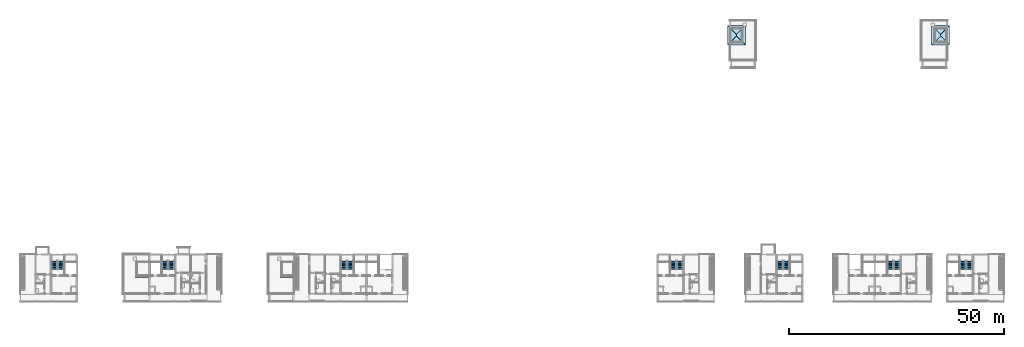
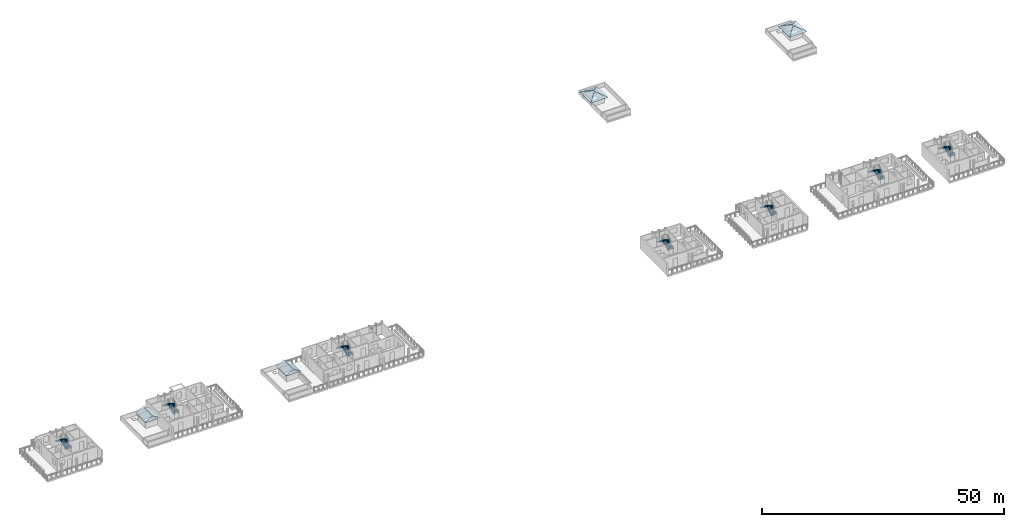
# One storey, part 29 of 41: 14 stair flights, 10 roofs, 7 elements without a shape of their own.
"""IFC4 building model written with IfcOpenShell, lengths in metres."""

from ifc_helpers import new_model, si_unit, direction, frame, origin, place, context, subcontext, project, spatial, polyline, outline, extrude, material, type_object, element, aggregate, save


model = new_model("IFC4")

# Units and contexts
model_context = context("Model", 3, precision=1e-05, world=origin(), true_north=direction((0.0, 1.0)))
body_context = subcontext(model_context, "Body", "Model", "MODEL_VIEW")
ifc_project = project(units=[si_unit("LENGTHUNIT", "METRE"), si_unit("AREAUNIT", "SQUARE_METRE"), si_unit("VOLUMEUNIT", "CUBIC_METRE"), si_unit("PLANEANGLEUNIT", "RADIAN"), si_unit("MASSUNIT", "GRAM", prefix="KILO")], contexts=[model_context])

# Site, building, storey
site_placement = place(None, origin())
site = spatial("IfcSite", under=ifc_project, at=site_placement, CompositionType="ELEMENT")
building_placement = place(site_placement, origin())
building = spatial("IfcBuilding", under=site, at=building_placement, Name="Ridgestep Commons", CompositionType="ELEMENT")
storey_placement = place(building_placement, frame((0.0, 0.0, 39.0)))
storey = spatial("IfcBuildingStorey", under=building, at=storey_placement, Name="L13", CompositionType="ELEMENT", Elevation=39.0)

# Stair, stair flights
ifc_material_1 = material(Name="Precast concrete C40/50", Category="concrete")
stair_type = type_object("IfcStairType", Name="Escape stair 1400", PredefinedType="HALF_TURN_STAIR", material=ifc_material_1)
stair_1_placement = place(storey_placement, origin())
stair_1 = element("IfcStair", 1, at=stair_1_placement, inside=storey, type_object=stair_type, Name="L13 Escape stair A1C", PredefinedType="HALF_TURN_STAIR")
ifc_material_2 = material(Name="Precast concrete C40/50", Category="concrete")
stair_flight_type = type_object("IfcStairFlightType", Name="Stair flight 1400", PredefinedType="STRAIGHT", material=ifc_material_2)
stair_flight_1_placement = place(storey_placement, frame((25.125, 19.35009765625, 0.0), z_axis=(0.0, 0.0, 1.0), x_axis=(0.0, 1.0, 0.0)))
stair_flight_1 = element("IfcStairFlight", 2, at=stair_flight_1_placement, type_object=stair_flight_type, Name="A1C flight 1", NumberOfRisers=8, NumberOfTreads=7, PredefinedType="STRAIGHT", RiserHeight=0.1875, TreadLength=0.28, context=body_context, shape_type="SweptSolid", body=[
    extrude(outline(polyline([(0.0, 0.0), (0.0, 0.1875), (0.280029296875, 0.1875), (0.280029296875, 0.375), (0.56005859375, 0.375), (0.56005859375, 0.5625), (0.840087890625, 0.5625), (0.840087890625, 0.75), (1.1201171875, 0.75), (1.1201171875, 0.9375), (1.39990234375, 0.9375), (1.39990234375, 1.125), (1.679931640625, 1.125), (1.679931640625, 1.3125), (1.9599609375, 1.3125), (1.9599609375, 1.5), (1.9599609375, 1.132080078125), (0.26953125, 0.0), (0.0, 0.0)])), frame((0.0, 0.699951171875, 0.0), z_axis=(0.0, -1.0, 0.0), x_axis=(1.0, 0.0, 0.0)), (0.0, 0.0, 1.0), 0.695068359375),
    extrude(outline(polyline([(0.0, 0.0), (0.0, 0.1875), (0.280029296875, 0.1875), (0.280029296875, 0.375), (0.56005859375, 0.375), (0.56005859375, 0.5625), (0.840087890625, 0.5625), (0.840087890625, 0.75), (1.1201171875, 0.75), (1.1201171875, 0.9375), (1.39990234375, 0.9375), (1.39990234375, 1.125), (1.679931640625, 1.125), (1.679931640625, 1.3125), (1.9599609375, 1.3125), (1.9599609375, 1.5), (1.9599609375, 1.132080078125), (0.26953125, 0.0), (0.0, 0.0)])), frame((0.0, -0.0048828125, 0.0), z_axis=(0.0, -1.0, 0.0), x_axis=(1.0, 0.0, 0.0)), (0.0, 0.0, 1.0), 0.695068359375),
])
stair_flight_2_placement = place(storey_placement, frame((23.625, 21.31005859375, 1.5), z_axis=(0.0, 0.0, 1.0), x_axis=(0.0, -1.0, 0.0)))
stair_flight_2 = element("IfcStairFlight", 3, at=stair_flight_2_placement, type_object=stair_flight_type, Name="A1C flight 2", NumberOfRisers=8, NumberOfTreads=7, PredefinedType="STRAIGHT", RiserHeight=0.1875, TreadLength=0.28, context=body_context, shape_type="SweptSolid", body=[
    extrude(outline(polyline([(0.0, 0.0), (0.0, 0.1875), (0.280029296875, 0.1875), (0.280029296875, 0.375), (0.56005859375, 0.375), (0.56005859375, 0.5625), (0.840087890625, 0.5625), (0.840087890625, 0.75), (1.1201171875, 0.75), (1.1201171875, 0.9375), (1.39990234375, 0.9375), (1.39990234375, 1.125), (1.679931640625, 1.125), (1.679931640625, 1.3125), (1.9599609375, 1.3125), (1.9599609375, 1.5), (1.9599609375, 1.132080078125), (0.26953125, 0.0), (0.0, 0.0)])), frame((0.0, 0.699951171875, 0.0), z_axis=(0.0, -1.0, 0.0), x_axis=(1.0, 0.0, 0.0)), (0.0, 0.0, 1.0), 0.695068359375),
    extrude(outline(polyline([(0.0, 0.0), (0.0, 0.1875), (0.280029296875, 0.1875), (0.280029296875, 0.375), (0.56005859375, 0.375), (0.56005859375, 0.5625), (0.840087890625, 0.5625), (0.840087890625, 0.75), (1.1201171875, 0.75), (1.1201171875, 0.9375), (1.39990234375, 0.9375), (1.39990234375, 1.125), (1.679931640625, 1.125), (1.679931640625, 1.3125), (1.9599609375, 1.3125), (1.9599609375, 1.5), (1.9599609375, 1.132080078125), (0.26953125, 0.0), (0.0, 0.0)])), frame((0.0, -0.0048828125, 0.0), z_axis=(0.0, -1.0, 0.0), x_axis=(1.0, 0.0, 0.0)), (0.0, 0.0, 1.0), 0.695068359375),
])
aggregate(stair_1, [stair_flight_1, stair_flight_2])

stair_2_placement = place(storey_placement, origin())
stair_2 = element("IfcStair", 4, at=stair_2_placement, inside=storey, type_object=stair_type, Name="L13 Escape stair A3C", PredefinedType="HALF_TURN_STAIR")
stair_flight_3_placement = place(storey_placement, frame((50.77490234375, 19.35009765625, 0.0), z_axis=(0.0, 0.0, 1.0), x_axis=(0.0, 1.0, 0.0)))
stair_flight_3 = element("IfcStairFlight", 5, at=stair_flight_3_placement, type_object=stair_flight_type, Name="A3C flight 1", NumberOfRisers=8, NumberOfTreads=7, PredefinedType="STRAIGHT", RiserHeight=0.1875, TreadLength=0.28, context=body_context, shape_type="SweptSolid", body=[
    extrude(outline(polyline([(0.0, 0.0), (0.0, 0.1875), (0.280029296875, 0.1875), (0.280029296875, 0.375), (0.56005859375, 0.375), (0.56005859375, 0.5625), (0.840087890625, 0.5625), (0.840087890625, 0.75), (1.1201171875, 0.75), (1.1201171875, 0.9375), (1.39990234375, 0.9375), (1.39990234375, 1.125), (1.679931640625, 1.125), (1.679931640625, 1.3125), (1.9599609375, 1.3125), (1.9599609375, 1.5), (1.9599609375, 1.132080078125), (0.26953125, 0.0), (0.0, 0.0)])), frame((0.0, 0.699951171875, 0.0), z_axis=(0.0, -1.0, 0.0), x_axis=(1.0, 0.0, 0.0)), (0.0, 0.0, 1.0), 0.695068359375),
    extrude(outline(polyline([(0.0, 0.0), (0.0, 0.1875), (0.280029296875, 0.1875), (0.280029296875, 0.375), (0.56005859375, 0.375), (0.56005859375, 0.5625), (0.840087890625, 0.5625), (0.840087890625, 0.75), (1.1201171875, 0.75), (1.1201171875, 0.9375), (1.39990234375, 0.9375), (1.39990234375, 1.125), (1.679931640625, 1.125), (1.679931640625, 1.3125), (1.9599609375, 1.3125), (1.9599609375, 1.5), (1.9599609375, 1.132080078125), (0.26953125, 0.0), (0.0, 0.0)])), frame((0.0, -0.0048828125, 0.0), z_axis=(0.0, -1.0, 0.0), x_axis=(1.0, 0.0, 0.0)), (0.0, 0.0, 1.0), 0.695068359375),
])
stair_flight_4_placement = place(storey_placement, frame((49.27490234375, 21.31005859375, 1.5), z_axis=(0.0, 0.0, 1.0), x_axis=(0.0, -1.0, 0.0)))
stair_flight_4 = element("IfcStairFlight", 6, at=stair_flight_4_placement, type_object=stair_flight_type, Name="A3C flight 2", NumberOfRisers=8, NumberOfTreads=7, PredefinedType="STRAIGHT", RiserHeight=0.1875, TreadLength=0.28, context=body_context, shape_type="SweptSolid", body=[
    extrude(outline(polyline([(0.0, 0.0), (0.0, 0.1875), (0.280029296875, 0.1875), (0.280029296875, 0.375), (0.56005859375, 0.375), (0.56005859375, 0.5625), (0.840087890625, 0.5625), (0.840087890625, 0.75), (1.1201171875, 0.75), (1.1201171875, 0.9375), (1.39990234375, 0.9375), (1.39990234375, 1.125), (1.679931640625, 1.125), (1.679931640625, 1.3125), (1.9599609375, 1.3125), (1.9599609375, 1.5), (1.9599609375, 1.132080078125), (0.26953125, 0.0), (0.0, 0.0)])), frame((0.0, 0.699951171875, 0.0), z_axis=(0.0, -1.0, 0.0), x_axis=(1.0, 0.0, 0.0)), (0.0, 0.0, 1.0), 0.695068359375),
    extrude(outline(polyline([(0.0, 0.0), (0.0, 0.1875), (0.280029296875, 0.1875), (0.280029296875, 0.375), (0.56005859375, 0.375), (0.56005859375, 0.5625), (0.840087890625, 0.5625), (0.840087890625, 0.75), (1.1201171875, 0.75), (1.1201171875, 0.9375), (1.39990234375, 0.9375), (1.39990234375, 1.125), (1.679931640625, 1.125), (1.679931640625, 1.3125), (1.9599609375, 1.3125), (1.9599609375, 1.5), (1.9599609375, 1.132080078125), (0.26953125, 0.0), (0.0, 0.0)])), frame((0.0, -0.0048828125, 0.0), z_axis=(0.0, -1.0, 0.0), x_axis=(1.0, 0.0, 0.0)), (0.0, 0.0, 1.0), 0.695068359375),
])
aggregate(stair_2, [stair_flight_3, stair_flight_4])

stair_3_placement = place(storey_placement, origin())
stair_3 = element("IfcStair", 7, at=stair_3_placement, inside=storey, type_object=stair_type, Name="L13 Escape stair A5C", PredefinedType="HALF_TURN_STAIR")
stair_flight_5_placement = place(storey_placement, frame((92.324951171875, 19.35009765625, 0.0), z_axis=(0.0, 0.0, 1.0), x_axis=(0.0, 1.0, 0.0)))
stair_flight_5 = element("IfcStairFlight", 8, at=stair_flight_5_placement, type_object=stair_flight_type, Name="A5C flight 1", NumberOfRisers=8, NumberOfTreads=7, PredefinedType="STRAIGHT", RiserHeight=0.1875, TreadLength=0.28, context=body_context, shape_type="SweptSolid", body=[
    extrude(outline(polyline([(0.0, 0.0), (0.0, 0.1875), (0.280029296875, 0.1875), (0.280029296875, 0.375), (0.56005859375, 0.375), (0.56005859375, 0.5625), (0.840087890625, 0.5625), (0.840087890625, 0.75), (1.1201171875, 0.75), (1.1201171875, 0.9375), (1.39990234375, 0.9375), (1.39990234375, 1.125), (1.679931640625, 1.125), (1.679931640625, 1.3125), (1.9599609375, 1.3125), (1.9599609375, 1.5), (1.9599609375, 1.132080078125), (0.26953125, 0.0), (0.0, 0.0)])), frame((0.0, 0.699951171875, 0.0), z_axis=(0.0, -1.0, 0.0), x_axis=(1.0, 0.0, 0.0)), (0.0, 0.0, 1.0), 0.695068359375),
    extrude(outline(polyline([(0.0, 0.0), (0.0, 0.1875), (0.280029296875, 0.1875), (0.280029296875, 0.375), (0.56005859375, 0.375), (0.56005859375, 0.5625), (0.840087890625, 0.5625), (0.840087890625, 0.75), (1.1201171875, 0.75), (1.1201171875, 0.9375), (1.39990234375, 0.9375), (1.39990234375, 1.125), (1.679931640625, 1.125), (1.679931640625, 1.3125), (1.9599609375, 1.3125), (1.9599609375, 1.5), (1.9599609375, 1.132080078125), (0.26953125, 0.0), (0.0, 0.0)])), frame((0.0, -0.0048828125, 0.0), z_axis=(0.0, -1.0, 0.0), x_axis=(1.0, 0.0, 0.0)), (0.0, 0.0, 1.0), 0.695068359375),
])
stair_flight_6_placement = place(storey_placement, frame((90.824951171875, 21.31005859375, 1.5), z_axis=(0.0, 0.0, 1.0), x_axis=(0.0, -1.0, 0.0)))
stair_flight_6 = element("IfcStairFlight", 9, at=stair_flight_6_placement, type_object=stair_flight_type, Name="A5C flight 2", NumberOfRisers=8, NumberOfTreads=7, PredefinedType="STRAIGHT", RiserHeight=0.1875, TreadLength=0.28, context=body_context, shape_type="SweptSolid", body=[
    extrude(outline(polyline([(0.0, 0.0), (0.0, 0.1875), (0.280029296875, 0.1875), (0.280029296875, 0.375), (0.56005859375, 0.375), (0.56005859375, 0.5625), (0.840087890625, 0.5625), (0.840087890625, 0.75), (1.1201171875, 0.75), (1.1201171875, 0.9375), (1.39990234375, 0.9375), (1.39990234375, 1.125), (1.679931640625, 1.125), (1.679931640625, 1.3125), (1.9599609375, 1.3125), (1.9599609375, 1.5), (1.9599609375, 1.132080078125), (0.26953125, 0.0), (0.0, 0.0)])), frame((0.0, 0.699951171875, 0.0), z_axis=(0.0, -1.0, 0.0), x_axis=(1.0, 0.0, 0.0)), (0.0, 0.0, 1.0), 0.695068359375),
    extrude(outline(polyline([(0.0, 0.0), (0.0, 0.1875), (0.280029296875, 0.1875), (0.280029296875, 0.375), (0.56005859375, 0.375), (0.56005859375, 0.5625), (0.840087890625, 0.5625), (0.840087890625, 0.75), (1.1201171875, 0.75), (1.1201171875, 0.9375), (1.39990234375, 0.9375), (1.39990234375, 1.125), (1.679931640625, 1.125), (1.679931640625, 1.3125), (1.9599609375, 1.3125), (1.9599609375, 1.5), (1.9599609375, 1.132080078125), (0.26953125, 0.0), (0.0, 0.0)])), frame((0.0, -0.0048828125, 0.0), z_axis=(0.0, -1.0, 0.0), x_axis=(1.0, 0.0, 0.0)), (0.0, 0.0, 1.0), 0.695068359375),
])
aggregate(stair_3, [stair_flight_5, stair_flight_6])

stair_4_placement = place(storey_placement, origin())
stair_4 = element("IfcStair", 10, at=stair_4_placement, inside=storey, type_object=stair_type, Name="L13 Escape stair D2C", PredefinedType="HALF_TURN_STAIR")
stair_flight_7_placement = place(storey_placement, frame((168.77490234375, 19.35009765625, 0.0), z_axis=(0.0, 0.0, 1.0), x_axis=(0.0, 1.0, 0.0)))
stair_flight_7 = element("IfcStairFlight", 11, at=stair_flight_7_placement, type_object=stair_flight_type, Name="D2C flight 1", NumberOfRisers=8, NumberOfTreads=7, PredefinedType="STRAIGHT", RiserHeight=0.1875, TreadLength=0.28, context=body_context, shape_type="SweptSolid", body=[
    extrude(outline(polyline([(0.0, 0.0), (0.0, 0.1875), (0.280029296875, 0.1875), (0.280029296875, 0.375), (0.56005859375, 0.375), (0.56005859375, 0.5625), (0.840087890625, 0.5625), (0.840087890625, 0.75), (1.1201171875, 0.75), (1.1201171875, 0.9375), (1.39990234375, 0.9375), (1.39990234375, 1.125), (1.679931640625, 1.125), (1.679931640625, 1.3125), (1.9599609375, 1.3125), (1.9599609375, 1.5), (1.9599609375, 1.132080078125), (0.26953125, 0.0), (0.0, 0.0)])), frame((0.0, 0.699951171875, 0.0), z_axis=(0.0, -1.0, 0.0), x_axis=(1.0, 0.0, 0.0)), (0.0, 0.0, 1.0), 0.695068359375),
    extrude(outline(polyline([(0.0, 0.0), (0.0, 0.1875), (0.280029296875, 0.1875), (0.280029296875, 0.375), (0.56005859375, 0.375), (0.56005859375, 0.5625), (0.840087890625, 0.5625), (0.840087890625, 0.75), (1.1201171875, 0.75), (1.1201171875, 0.9375), (1.39990234375, 0.9375), (1.39990234375, 1.125), (1.679931640625, 1.125), (1.679931640625, 1.3125), (1.9599609375, 1.3125), (1.9599609375, 1.5), (1.9599609375, 1.132080078125), (0.26953125, 0.0), (0.0, 0.0)])), frame((0.0, -0.0048828125, 0.0), z_axis=(0.0, -1.0, 0.0), x_axis=(1.0, 0.0, 0.0)), (0.0, 0.0, 1.0), 0.695068359375),
])
stair_flight_8_placement = place(storey_placement, frame((167.27490234375, 21.31005859375, 1.5), z_axis=(0.0, 0.0, 1.0), x_axis=(0.0, -1.0, 0.0)))
stair_flight_8 = element("IfcStairFlight", 12, at=stair_flight_8_placement, type_object=stair_flight_type, Name="D2C flight 2", NumberOfRisers=8, NumberOfTreads=7, PredefinedType="STRAIGHT", RiserHeight=0.1875, TreadLength=0.28, context=body_context, shape_type="SweptSolid", body=[
    extrude(outline(polyline([(0.0, 0.0), (0.0, 0.1875), (0.280029296875, 0.1875), (0.280029296875, 0.375), (0.56005859375, 0.375), (0.56005859375, 0.5625), (0.840087890625, 0.5625), (0.840087890625, 0.75), (1.1201171875, 0.75), (1.1201171875, 0.9375), (1.39990234375, 0.9375), (1.39990234375, 1.125), (1.679931640625, 1.125), (1.679931640625, 1.3125), (1.9599609375, 1.3125), (1.9599609375, 1.5), (1.9599609375, 1.132080078125), (0.26953125, 0.0), (0.0, 0.0)])), frame((0.0, 0.699951171875, 0.0), z_axis=(0.0, -1.0, 0.0), x_axis=(1.0, 0.0, 0.0)), (0.0, 0.0, 1.0), 0.695068359375),
    extrude(outline(polyline([(0.0, 0.0), (0.0, 0.1875), (0.280029296875, 0.1875), (0.280029296875, 0.375), (0.56005859375, 0.375), (0.56005859375, 0.5625), (0.840087890625, 0.5625), (0.840087890625, 0.75), (1.1201171875, 0.75), (1.1201171875, 0.9375), (1.39990234375, 0.9375), (1.39990234375, 1.125), (1.679931640625, 1.125), (1.679931640625, 1.3125), (1.9599609375, 1.3125), (1.9599609375, 1.5), (1.9599609375, 1.132080078125), (0.26953125, 0.0), (0.0, 0.0)])), frame((0.0, -0.0048828125, 0.0), z_axis=(0.0, -1.0, 0.0), x_axis=(1.0, 0.0, 0.0)), (0.0, 0.0, 1.0), 0.695068359375),
])
aggregate(stair_4, [stair_flight_7, stair_flight_8])

stair_5_placement = place(storey_placement, origin())
stair_5 = element("IfcStair", 13, at=stair_5_placement, inside=storey, type_object=stair_type, Name="L13 Escape stair D3C", PredefinedType="HALF_TURN_STAIR")
stair_flight_9_placement = place(storey_placement, frame((193.52490234375, 19.35009765625, 0.0), z_axis=(0.0, 0.0, 1.0), x_axis=(0.0, 1.0, 0.0)))
stair_flight_9 = element("IfcStairFlight", 14, at=stair_flight_9_placement, type_object=stair_flight_type, Name="D3C flight 1", NumberOfRisers=8, NumberOfTreads=7, PredefinedType="STRAIGHT", RiserHeight=0.1875, TreadLength=0.28, context=body_context, shape_type="SweptSolid", body=[
    extrude(outline(polyline([(0.0, 0.0), (0.0, 0.1875), (0.280029296875, 0.1875), (0.280029296875, 0.375), (0.56005859375, 0.375), (0.56005859375, 0.5625), (0.840087890625, 0.5625), (0.840087890625, 0.75), (1.1201171875, 0.75), (1.1201171875, 0.9375), (1.39990234375, 0.9375), (1.39990234375, 1.125), (1.679931640625, 1.125), (1.679931640625, 1.3125), (1.9599609375, 1.3125), (1.9599609375, 1.5), (1.9599609375, 1.132080078125), (0.26953125, 0.0), (0.0, 0.0)])), frame((0.0, 0.699951171875, 0.0), z_axis=(0.0, -1.0, 0.0), x_axis=(1.0, 0.0, 0.0)), (0.0, 0.0, 1.0), 0.695068359375),
    extrude(outline(polyline([(0.0, 0.0), (0.0, 0.1875), (0.280029296875, 0.1875), (0.280029296875, 0.375), (0.56005859375, 0.375), (0.56005859375, 0.5625), (0.840087890625, 0.5625), (0.840087890625, 0.75), (1.1201171875, 0.75), (1.1201171875, 0.9375), (1.39990234375, 0.9375), (1.39990234375, 1.125), (1.679931640625, 1.125), (1.679931640625, 1.3125), (1.9599609375, 1.3125), (1.9599609375, 1.5), (1.9599609375, 1.132080078125), (0.26953125, 0.0), (0.0, 0.0)])), frame((0.0, -0.0048828125, 0.0), z_axis=(0.0, -1.0, 0.0), x_axis=(1.0, 0.0, 0.0)), (0.0, 0.0, 1.0), 0.695068359375),
])
stair_flight_10_placement = place(storey_placement, frame((192.02490234375, 21.31005859375, 1.5), z_axis=(0.0, 0.0, 1.0), x_axis=(0.0, -1.0, 0.0)))
stair_flight_10 = element("IfcStairFlight", 15, at=stair_flight_10_placement, type_object=stair_flight_type, Name="D3C flight 2", NumberOfRisers=8, NumberOfTreads=7, PredefinedType="STRAIGHT", RiserHeight=0.1875, TreadLength=0.28, context=body_context, shape_type="SweptSolid", body=[
    extrude(outline(polyline([(0.0, 0.0), (0.0, 0.1875), (0.280029296875, 0.1875), (0.280029296875, 0.375), (0.56005859375, 0.375), (0.56005859375, 0.5625), (0.840087890625, 0.5625), (0.840087890625, 0.75), (1.1201171875, 0.75), (1.1201171875, 0.9375), (1.39990234375, 0.9375), (1.39990234375, 1.125), (1.679931640625, 1.125), (1.679931640625, 1.3125), (1.9599609375, 1.3125), (1.9599609375, 1.5), (1.9599609375, 1.132080078125), (0.26953125, 0.0), (0.0, 0.0)])), frame((0.0, 0.699951171875, 0.0), z_axis=(0.0, -1.0, 0.0), x_axis=(1.0, 0.0, 0.0)), (0.0, 0.0, 1.0), 0.695068359375),
    extrude(outline(polyline([(0.0, 0.0), (0.0, 0.1875), (0.280029296875, 0.1875), (0.280029296875, 0.375), (0.56005859375, 0.375), (0.56005859375, 0.5625), (0.840087890625, 0.5625), (0.840087890625, 0.75), (1.1201171875, 0.75), (1.1201171875, 0.9375), (1.39990234375, 0.9375), (1.39990234375, 1.125), (1.679931640625, 1.125), (1.679931640625, 1.3125), (1.9599609375, 1.3125), (1.9599609375, 1.5), (1.9599609375, 1.132080078125), (0.26953125, 0.0), (0.0, 0.0)])), frame((0.0, -0.0048828125, 0.0), z_axis=(0.0, -1.0, 0.0), x_axis=(1.0, 0.0, 0.0)), (0.0, 0.0, 1.0), 0.695068359375),
])
aggregate(stair_5, [stair_flight_9, stair_flight_10])

stair_6_placement = place(storey_placement, origin())
stair_6 = element("IfcStair", 16, at=stair_6_placement, inside=storey, type_object=stair_type, Name="L13 Escape stair D5C", PredefinedType="HALF_TURN_STAIR")
stair_flight_11_placement = place(storey_placement, frame((219.175048828125, 19.35009765625, 0.0), z_axis=(0.0, 0.0, 1.0), x_axis=(0.0, 1.0, 0.0)))
stair_flight_11 = element("IfcStairFlight", 17, at=stair_flight_11_placement, type_object=stair_flight_type, Name="D5C flight 1", NumberOfRisers=8, NumberOfTreads=7, PredefinedType="STRAIGHT", RiserHeight=0.1875, TreadLength=0.28, context=body_context, shape_type="SweptSolid", body=[
    extrude(outline(polyline([(0.0, 0.0), (0.0, 0.1875), (0.280029296875, 0.1875), (0.280029296875, 0.375), (0.56005859375, 0.375), (0.56005859375, 0.5625), (0.840087890625, 0.5625), (0.840087890625, 0.75), (1.1201171875, 0.75), (1.1201171875, 0.9375), (1.39990234375, 0.9375), (1.39990234375, 1.125), (1.679931640625, 1.125), (1.679931640625, 1.3125), (1.9599609375, 1.3125), (1.9599609375, 1.5), (1.9599609375, 1.132080078125), (0.26953125, 0.0), (0.0, 0.0)])), frame((0.0, 0.699951171875, 0.0), z_axis=(0.0, -1.0, 0.0), x_axis=(1.0, 0.0, 0.0)), (0.0, 0.0, 1.0), 0.695068359375),
    extrude(outline(polyline([(0.0, 0.0), (0.0, 0.1875), (0.280029296875, 0.1875), (0.280029296875, 0.375), (0.56005859375, 0.375), (0.56005859375, 0.5625), (0.840087890625, 0.5625), (0.840087890625, 0.75), (1.1201171875, 0.75), (1.1201171875, 0.9375), (1.39990234375, 0.9375), (1.39990234375, 1.125), (1.679931640625, 1.125), (1.679931640625, 1.3125), (1.9599609375, 1.3125), (1.9599609375, 1.5), (1.9599609375, 1.132080078125), (0.26953125, 0.0), (0.0, 0.0)])), frame((0.0, -0.0048828125, 0.0), z_axis=(0.0, -1.0, 0.0), x_axis=(1.0, 0.0, 0.0)), (0.0, 0.0, 1.0), 0.695068359375),
])
stair_flight_12_placement = place(storey_placement, frame((217.675048828125, 21.31005859375, 1.5), z_axis=(0.0, 0.0, 1.0), x_axis=(0.0, -1.0, 0.0)))
stair_flight_12 = element("IfcStairFlight", 18, at=stair_flight_12_placement, type_object=stair_flight_type, Name="D5C flight 2", NumberOfRisers=8, NumberOfTreads=7, PredefinedType="STRAIGHT", RiserHeight=0.1875, TreadLength=0.28, context=body_context, shape_type="SweptSolid", body=[
    extrude(outline(polyline([(0.0, 0.0), (0.0, 0.1875), (0.280029296875, 0.1875), (0.280029296875, 0.375), (0.56005859375, 0.375), (0.56005859375, 0.5625), (0.840087890625, 0.5625), (0.840087890625, 0.75), (1.1201171875, 0.75), (1.1201171875, 0.9375), (1.39990234375, 0.9375), (1.39990234375, 1.125), (1.679931640625, 1.125), (1.679931640625, 1.3125), (1.9599609375, 1.3125), (1.9599609375, 1.5), (1.9599609375, 1.132080078125), (0.26953125, 0.0), (0.0, 0.0)])), frame((0.0, 0.699951171875, 0.0), z_axis=(0.0, -1.0, 0.0), x_axis=(1.0, 0.0, 0.0)), (0.0, 0.0, 1.0), 0.695068359375),
    extrude(outline(polyline([(0.0, 0.0), (0.0, 0.1875), (0.280029296875, 0.1875), (0.280029296875, 0.375), (0.56005859375, 0.375), (0.56005859375, 0.5625), (0.840087890625, 0.5625), (0.840087890625, 0.75), (1.1201171875, 0.75), (1.1201171875, 0.9375), (1.39990234375, 0.9375), (1.39990234375, 1.125), (1.679931640625, 1.125), (1.679931640625, 1.3125), (1.9599609375, 1.3125), (1.9599609375, 1.5), (1.9599609375, 1.132080078125), (0.26953125, 0.0), (0.0, 0.0)])), frame((0.0, -0.0048828125, 0.0), z_axis=(0.0, -1.0, 0.0), x_axis=(1.0, 0.0, 0.0)), (0.0, 0.0, 1.0), 0.695068359375),
])
aggregate(stair_6, [stair_flight_11, stair_flight_12])

stair_7_placement = place(storey_placement, origin())
stair_7 = element("IfcStair", 19, at=stair_7_placement, inside=storey, type_object=stair_type, Name="L13 Escape stair D6C", PredefinedType="HALF_TURN_STAIR")
stair_flight_13_placement = place(storey_placement, frame((235.97509765625, 19.35009765625, 0.0), z_axis=(0.0, 0.0, 1.0), x_axis=(0.0, 1.0, 0.0)))
stair_flight_13 = element("IfcStairFlight", 20, at=stair_flight_13_placement, type_object=stair_flight_type, Name="D6C flight 1", NumberOfRisers=8, NumberOfTreads=7, PredefinedType="STRAIGHT", RiserHeight=0.1875, TreadLength=0.28, context=body_context, shape_type="SweptSolid", body=[
    extrude(outline(polyline([(0.0, 0.0), (0.0, 0.1875), (0.280029296875, 0.1875), (0.280029296875, 0.375), (0.56005859375, 0.375), (0.56005859375, 0.5625), (0.840087890625, 0.5625), (0.840087890625, 0.75), (1.1201171875, 0.75), (1.1201171875, 0.9375), (1.39990234375, 0.9375), (1.39990234375, 1.125), (1.679931640625, 1.125), (1.679931640625, 1.3125), (1.9599609375, 1.3125), (1.9599609375, 1.5), (1.9599609375, 1.132080078125), (0.26953125, 0.0), (0.0, 0.0)])), frame((0.0, 0.699951171875, 0.0), z_axis=(0.0, -1.0, 0.0), x_axis=(1.0, 0.0, 0.0)), (0.0, 0.0, 1.0), 0.695068359375),
    extrude(outline(polyline([(0.0, 0.0), (0.0, 0.1875), (0.280029296875, 0.1875), (0.280029296875, 0.375), (0.56005859375, 0.375), (0.56005859375, 0.5625), (0.840087890625, 0.5625), (0.840087890625, 0.75), (1.1201171875, 0.75), (1.1201171875, 0.9375), (1.39990234375, 0.9375), (1.39990234375, 1.125), (1.679931640625, 1.125), (1.679931640625, 1.3125), (1.9599609375, 1.3125), (1.9599609375, 1.5), (1.9599609375, 1.132080078125), (0.26953125, 0.0), (0.0, 0.0)])), frame((0.0, -0.0048828125, 0.0), z_axis=(0.0, -1.0, 0.0), x_axis=(1.0, 0.0, 0.0)), (0.0, 0.0, 1.0), 0.695068359375),
])
stair_flight_14_placement = place(storey_placement, frame((234.47509765625, 21.31005859375, 1.5), z_axis=(0.0, 0.0, 1.0), x_axis=(0.0, -1.0, 0.0)))
stair_flight_14 = element("IfcStairFlight", 21, at=stair_flight_14_placement, type_object=stair_flight_type, Name="D6C flight 2", NumberOfRisers=8, NumberOfTreads=7, PredefinedType="STRAIGHT", RiserHeight=0.1875, TreadLength=0.28, context=body_context, shape_type="SweptSolid", body=[
    extrude(outline(polyline([(0.0, 0.0), (0.0, 0.1875), (0.280029296875, 0.1875), (0.280029296875, 0.375), (0.56005859375, 0.375), (0.56005859375, 0.5625), (0.840087890625, 0.5625), (0.840087890625, 0.75), (1.1201171875, 0.75), (1.1201171875, 0.9375), (1.39990234375, 0.9375), (1.39990234375, 1.125), (1.679931640625, 1.125), (1.679931640625, 1.3125), (1.9599609375, 1.3125), (1.9599609375, 1.5), (1.9599609375, 1.132080078125), (0.26953125, 0.0), (0.0, 0.0)])), frame((0.0, 0.699951171875, 0.0), z_axis=(0.0, -1.0, 0.0), x_axis=(1.0, 0.0, 0.0)), (0.0, 0.0, 1.0), 0.695068359375),
    extrude(outline(polyline([(0.0, 0.0), (0.0, 0.1875), (0.280029296875, 0.1875), (0.280029296875, 0.375), (0.56005859375, 0.375), (0.56005859375, 0.5625), (0.840087890625, 0.5625), (0.840087890625, 0.75), (1.1201171875, 0.75), (1.1201171875, 0.9375), (1.39990234375, 0.9375), (1.39990234375, 1.125), (1.679931640625, 1.125), (1.679931640625, 1.3125), (1.9599609375, 1.3125), (1.9599609375, 1.5), (1.9599609375, 1.132080078125), (0.26953125, 0.0), (0.0, 0.0)])), frame((0.0, -0.0048828125, 0.0), z_axis=(0.0, -1.0, 0.0), x_axis=(1.0, 0.0, 0.0)), (0.0, 0.0, 1.0), 0.695068359375),
])
aggregate(stair_7, [stair_flight_13, stair_flight_14])

# Roofs
ifc_material_3 = material(Name="Zinc-aluminium profiled sheet", Category="aluminium")
roof_type_1 = type_object("IfcRoofType", Name="Gable crown 3575 x 4000", PredefinedType="GABLE_ROOF", material=ifc_material_3)
for number, where, z_axis, x_axis, name in (
    (22, (42.324951171875, 19.449951171875, 1.699951171875), (0.0, 0.0, 1.0), (1.0, 0.0, 0.0), "Gable crown A2C"),
    (23, (75.925048828125, 19.449951171875, 1.699951171875), (0.0, 0.0, 1.0), (1.0, 0.0, 0.0), "Gable crown A4C"),
):
    element("IfcRoof", number, at=place(storey_placement, frame(where, z_axis=z_axis, x_axis=x_axis)), inside=storey, type_object=roof_type_1, Name=name, PredefinedType="GABLE_ROOF", context=body_context, shape_type="SweptSolid", body=[
        extrude(outline(polyline([(0.0, 0.0), (3.574951171875, 0.0), (3.574951171875, 0.1201171875), (1.78759765625, 1.152099609375), (0.0, 0.1201171875), (0.0, 0.0)])), frame((0.0, 2.0, 0.0), z_axis=(0.0, -1.0, 0.0), x_axis=(1.0, 0.0, 0.0)), (0.0, 0.0, 1.0), 4.0),
    ])
ifc_material_4 = material(Name="Zinc-aluminium profiled sheet", Category="aluminium")
roof_type_2 = type_object("IfcRoofType", Name="Hipped crown 4175 x 4600", PredefinedType="HIP_ROOF", material=ifc_material_4)
roof_1_placement = place(storey_placement, frame((179.800048828125, 71.39990234375, 1.540283203125), z_axis=(-0.422624314956, 0.0, 0.906304964352), x_axis=(0.0, 1.0, 0.0)))
element("IfcRoof", 24, at=roof_1_placement, inside=storey, type_object=roof_type_2, Name="Hipped crown C3C plane 1", PredefinedType="HIP_ROOF", context=body_context, shape_type="SweptSolid", body=[
    extrude(outline(polyline([(0.0, 0.0), (4.60009765625, 0.0), (2.5126953125, -2.303200827376451), (2.087646484375, -2.303200827376451), (0.0, 0.0)])), origin(), (0.0, 0.0, -1.0), 0.1201171875),
])
roof_2_placement = place(storey_placement, frame((183.97509765625, 76.0, 1.540283203125), z_axis=(0.422583717399, 0.0, 0.906323894526), x_axis=(0.0, -1.0, 0.0)))
element("IfcRoof", 25, at=roof_2_placement, inside=storey, type_object=roof_type_2, Name="Hipped crown C3C plane 2", PredefinedType="HIP_ROOF", context=body_context, shape_type="SweptSolid", body=[
    extrude(outline(polyline([(0.0, 0.0), (4.60009765625, 0.0), (2.512451171875, -2.303422095547812), (2.08740234375, -2.303422095547812), (0.0, 0.0)])), origin(), (0.0, 0.0, -1.0), 0.1201171875),
])
roof_3_placement = place(storey_placement, frame((183.97509765625, 71.39990234375, 1.540283203125), z_axis=(0.0, -0.422583717399, 0.906323894526), x_axis=(-1.0, 0.0, 0.0)))
element("IfcRoof", 26, at=roof_3_placement, inside=storey, type_object=roof_type_2, Name="Hipped crown C3C plane 3", PredefinedType="HIP_ROOF", context=body_context, shape_type="SweptSolid", body=[
    extrude(outline(polyline([(0.0, 0.0), (4.175048828125, 0.0), (2.087646484375, -2.303422095547812), (0.0, 0.0)])), origin(), (0.0, 0.0, -1.0), 0.1201171875),
])
roof_4_placement = place(storey_placement, frame((179.800048828125, 76.0, 1.540283203125), z_axis=(0.0, 0.422624314956, 0.906304964352), x_axis=(1.0, 0.0, 0.0)))
element("IfcRoof", 27, at=roof_4_placement, inside=storey, type_object=roof_type_2, Name="Hipped crown C3C plane 4", PredefinedType="HIP_ROOF", context=body_context, shape_type="SweptSolid", body=[
    extrude(outline(polyline([(0.0, 0.0), (4.175048828125, 0.0), (2.08740234375, -2.303200827376451), (0.0, 0.0)])), origin(), (0.0, 0.0, -1.0), 0.1201171875),
])
roof_5_placement = place(storey_placement, frame((227.22509765625, 71.39990234375, 1.540283203125), z_axis=(-0.422624314956, 0.0, 0.906304964352), x_axis=(0.0, 1.0, 0.0)))
element("IfcRoof", 28, at=roof_5_placement, inside=storey, type_object=roof_type_2, Name="Hipped crown C5C plane 1", PredefinedType="HIP_ROOF", context=body_context, shape_type="SweptSolid", body=[
    extrude(outline(polyline([(0.0, 0.0), (4.60009765625, 0.0), (2.5126953125, -2.303200827376451), (2.087646484375, -2.303200827376451), (0.0, 0.0)])), origin(), (0.0, 0.0, -1.0), 0.1201171875),
])
roof_6_placement = place(storey_placement, frame((231.39990234375, 76.0, 1.540283203125), z_axis=(0.422624314956, 0.0, 0.906304964352), x_axis=(0.0, -1.0, 0.0)))
element("IfcRoof", 29, at=roof_6_placement, inside=storey, type_object=roof_type_2, Name="Hipped crown C5C plane 2", PredefinedType="HIP_ROOF", context=body_context, shape_type="SweptSolid", body=[
    extrude(outline(polyline([(0.0, 0.0), (4.60009765625, 0.0), (2.512451171875, -2.303200827376451), (2.08740234375, -2.303200827376451), (0.0, 0.0)])), origin(), (0.0, 0.0, -1.0), 0.1201171875),
])
roof_7_placement = place(storey_placement, frame((231.39990234375, 71.39990234375, 1.540283203125), z_axis=(0.0, -0.422583717399, 0.906323894526), x_axis=(-1.0, 0.0, 0.0)))
element("IfcRoof", 30, at=roof_7_placement, inside=storey, type_object=roof_type_2, Name="Hipped crown C5C plane 3", PredefinedType="HIP_ROOF", context=body_context, shape_type="SweptSolid", body=[
    extrude(outline(polyline([(0.0, 0.0), (4.1748046875, 0.0), (2.08740234375, -2.303422095547812), (0.0, 0.0)])), origin(), (0.0, 0.0, -1.0), 0.1201171875),
])
roof_8_placement = place(storey_placement, frame((227.22509765625, 76.0, 1.540283203125), z_axis=(0.0, 0.422624314956, 0.906304964352), x_axis=(1.0, 0.0, 0.0)))
element("IfcRoof", 31, at=roof_8_placement, inside=storey, type_object=roof_type_2, Name="Hipped crown C5C plane 4", PredefinedType="HIP_ROOF", context=body_context, shape_type="SweptSolid", body=[
    extrude(outline(polyline([(0.0, 0.0), (4.1748046875, 0.0), (2.08740234375, -2.3032008273764513), (0.0, 0.0)])), origin(), (0.0, 0.0, -1.0), 0.1201171875),
])

save(model, "model.ifc")
